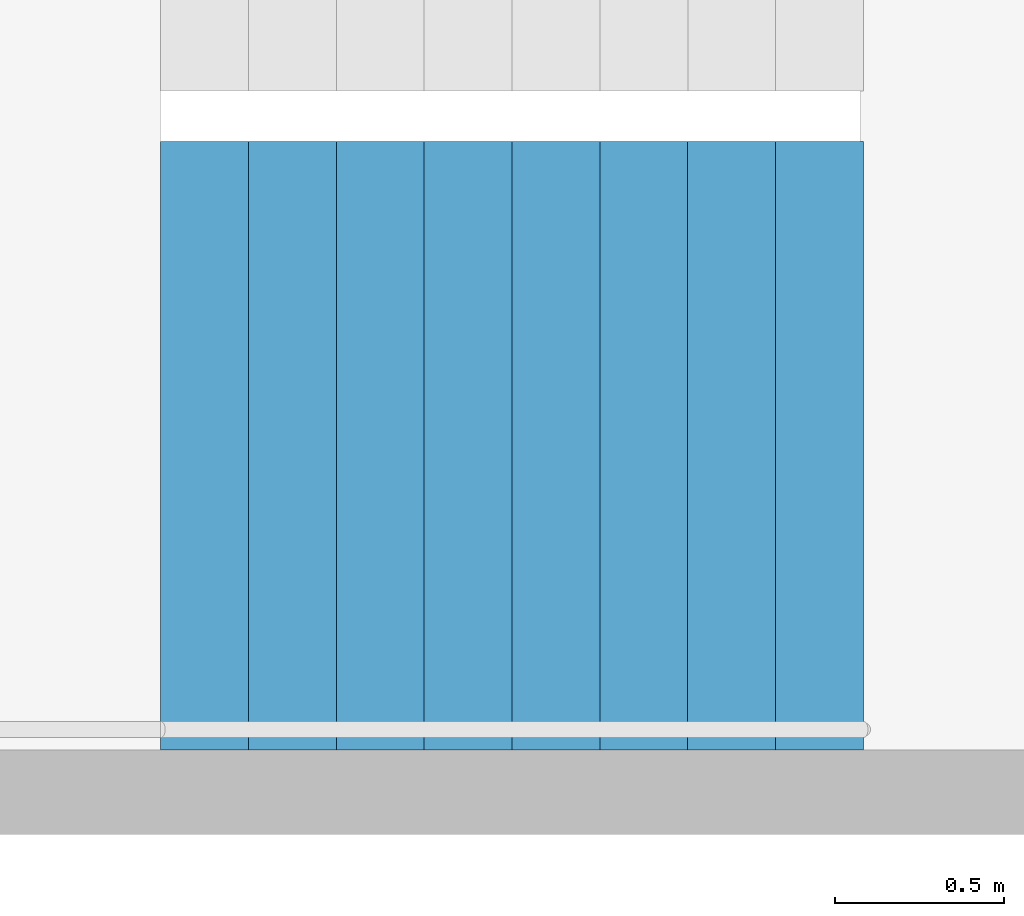
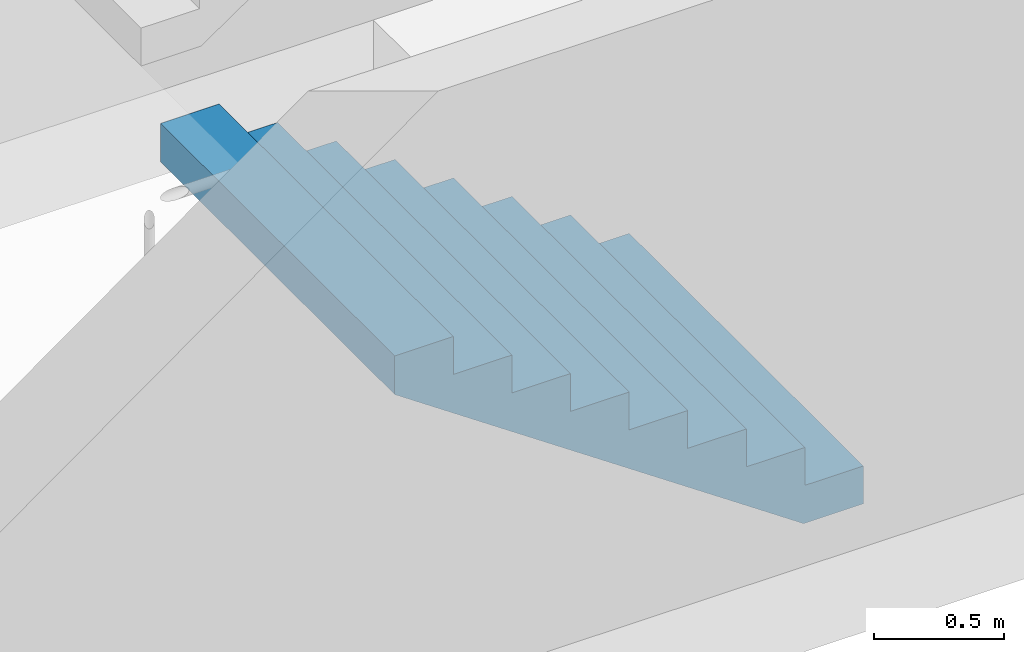
# One storey, part 27 of 29: 1 stair flight, 1 element without a shape of its own.
"""IFC4 building model written with IfcOpenShell, lengths in metres."""

from ifc_helpers import new_model, si_unit, direction, frame, origin, place, context, subcontext, project, spatial, triangles, material, type_object, element, aggregate, save


model = new_model("IFC4")

# Units and contexts
model_context = context("Model", 3, precision=1e-05, world=origin(), true_north=direction((0.0, 1.0)))
body_context = subcontext(model_context, "Body", "Model", "MODEL_VIEW")
ifc_project = project(units=[si_unit("LENGTHUNIT", "METRE"), si_unit("AREAUNIT", "SQUARE_METRE"), si_unit("VOLUMEUNIT", "CUBIC_METRE"), si_unit("PLANEANGLEUNIT", "RADIAN"), si_unit("MASSUNIT", "GRAM", prefix="KILO")], contexts=[model_context])

# Site, building, storey
site_placement = place(None, origin())
site = spatial("IfcSite", under=ifc_project, at=site_placement, CompositionType="ELEMENT")
building_placement = place(site_placement, origin())
building = spatial("IfcBuilding", under=site, at=building_placement, Name="Hakoniwa Tower and Hamabe Station Hall", CompositionType="ELEMENT")
storey_placement = place(building_placement, frame((0.0, 0.0, 110.60009765625)))
storey = spatial("IfcBuildingStorey", under=building, at=storey_placement, Name="L31", CompositionType="ELEMENT", Elevation=110.60009765625)

# Stair, stair flight
ifc_material_1 = material(Name="Concrete C40", Category="concrete")
stair_type = type_object("IfcStairType", Name="ESCAPE STAIR 1800", PredefinedType="HALF_TURN_STAIR", material=ifc_material_1)
stair_placement = place(storey_placement, origin())
stair = element("IfcStair", 1, at=stair_placement, inside=storey, type_object=stair_type, Name="Escape stair ST-3 L31", PredefinedType="HALF_TURN_STAIR")
ifc_material_2 = material(Name="Concrete C40", Category="concrete")
stair_flight_type = type_object("IfcStairFlightType", Name="STAIR FLIGHT 1800", PredefinedType="STRAIGHT", material=ifc_material_2)
stair_flight_placement = place(storey_placement, frame((24.39990234375, 4.64990234375, 0.0), z_axis=(0.0, 0.0, 1.0), x_axis=(-1.0, 0.0, 0.0)))
stair_flight = element("IfcStairFlight", 2, at=stair_flight_placement, type_object=stair_flight_type, Name="ST-3 flight 1", NumberOfRisers=9, NumberOfTreads=8, PredefinedType="STRAIGHT", RiserHeight=0.177777778, TreadLength=0.26, context=body_context, shape_type="Tessellation", body=[
    triangles([(0.0, 0.89990234375, 0.0), (0.260009765625, 0.89990234375, 0.0), (0.265625, 0.89990234375, 0.0), (0.52001953125, 0.89990234375, 0.174072265625), (0.780029296875, 0.89990234375, 0.351806640625), (1.0400390625, 0.89990234375, 0.529541015625), (1.300048828125, 0.89990234375, 0.707275390625), (1.56005859375, 0.89990234375, 0.885009765625), (1.820068359375, 0.89990234375, 1.062744140625), (2.080078125, 0.89990234375, 1.24072265625), (2.080078125, 0.89990234375, 1.422119140625), (1.820068359375, 0.89990234375, 1.422119140625), (1.820068359375, 0.89990234375, 1.244384765625), (1.56005859375, 0.89990234375, 1.244384765625), (1.56005859375, 0.89990234375, 1.066650390625), (1.300048828125, 0.89990234375, 1.066650390625), (1.300048828125, 0.89990234375, 0.888916015625), (1.0400390625, 0.89990234375, 0.888916015625), (1.0400390625, 0.89990234375, 0.711181640625), (0.780029296875, 0.89990234375, 0.711181640625), (0.780029296875, 0.89990234375, 0.533447265625), (0.52001953125, 0.89990234375, 0.533447265625), (0.52001953125, 0.89990234375, 0.35546875), (0.265625, 0.89990234375, 0.35546875), (0.260009765625, 0.89990234375, 0.35546875), (0.260009765625, 0.89990234375, 0.177734375), (0.0, 0.89990234375, 0.177734375), (0.0, 0.06005859375, 0.0), (0.260009765625, 0.06005859375, 0.0), (0.265625, 0.06005859375, 0.0), (0.52001953125, 0.06005859375, 0.174072265625), (0.780029296875, 0.06005859375, 0.351806640625), (1.0400390625, 0.06005859375, 0.529541015625), (1.300048828125, 0.06005859375, 0.707275390625), (1.56005859375, 0.06005859375, 0.885009765625), (1.820068359375, 0.06005859375, 1.062744140625), (2.080078125, 0.06005859375, 1.24072265625), (2.080078125, 0.06005859375, 1.422119140625), (1.820068359375, 0.06005859375, 1.422119140625), (1.820068359375, 0.06005859375, 1.244384765625), (1.56005859375, 0.06005859375, 1.244384765625), (1.56005859375, 0.06005859375, 1.066650390625), (1.300048828125, 0.06005859375, 1.066650390625), (1.300048828125, 0.06005859375, 0.888916015625), (1.0400390625, 0.06005859375, 0.888916015625), (1.0400390625, 0.06005859375, 0.711181640625), (0.780029296875, 0.06005859375, 0.711181640625), (0.780029296875, 0.06005859375, 0.533447265625), (0.52001953125, 0.06005859375, 0.533447265625), (0.52001953125, 0.06005859375, 0.35546875), (0.265625, 0.06005859375, 0.35546875), (0.260009765625, 0.06005859375, 0.35546875), (0.260009765625, 0.06005859375, 0.177734375), (0.0, 0.06005859375, 0.177734375), (0.0, 0.04296875, 0.0), (0.260009765625, 0.04296875, 0.0), (0.265625, 0.04296875, 0.0), (0.52001953125, 0.04296875, 0.174072265625), (0.780029296875, 0.04296875, 0.351806640625), (1.0400390625, 0.04296875, 0.529541015625), (1.300048828125, 0.04296875, 0.707275390625), (1.56005859375, 0.04296875, 0.885009765625), (1.820068359375, 0.04296875, 1.062744140625), (2.080078125, 0.04296875, 1.24072265625), (2.080078125, 0.04296875, 1.422119140625), (1.820068359375, 0.04296875, 1.422119140625), (1.820068359375, 0.04296875, 1.244384765625), (1.56005859375, 0.04296875, 1.244384765625), (1.56005859375, 0.04296875, 1.066650390625), (1.300048828125, 0.04296875, 1.066650390625), (1.300048828125, 0.04296875, 0.888916015625), (1.0400390625, 0.04296875, 0.888916015625), (1.0400390625, 0.04296875, 0.711181640625), (0.780029296875, 0.04296875, 0.711181640625), (0.780029296875, 0.04296875, 0.533447265625), (0.52001953125, 0.04296875, 0.533447265625), (0.52001953125, 0.04296875, 0.35546875), (0.265625, 0.04296875, 0.35546875), (0.260009765625, 0.04296875, 0.35546875), (0.260009765625, 0.04296875, 0.177734375), (0.0, 0.04296875, 0.177734375), (0.0, 0.025634765625, 0.0), (0.260009765625, 0.025634765625, 0.0), (0.265625, 0.025634765625, 0.0), (0.52001953125, 0.025634765625, 0.174072265625), (0.780029296875, 0.025634765625, 0.351806640625), (1.0400390625, 0.025634765625, 0.529541015625), (1.300048828125, 0.025634765625, 0.707275390625), (1.56005859375, 0.025634765625, 0.885009765625), (1.820068359375, 0.025634765625, 1.062744140625), (2.080078125, 0.025634765625, 1.24072265625), (2.080078125, 0.025634765625, 1.422119140625), (1.820068359375, 0.025634765625, 1.422119140625), (1.820068359375, 0.025634765625, 1.244384765625), (1.56005859375, 0.025634765625, 1.244384765625), (1.56005859375, 0.025634765625, 1.066650390625), (1.300048828125, 0.025634765625, 1.066650390625), (1.300048828125, 0.025634765625, 0.888916015625), (1.0400390625, 0.025634765625, 0.888916015625), (1.0400390625, 0.025634765625, 0.711181640625), (0.780029296875, 0.025634765625, 0.711181640625), (0.780029296875, 0.025634765625, 0.533447265625), (0.52001953125, 0.025634765625, 0.533447265625), (0.52001953125, 0.025634765625, 0.35546875), (0.265625, 0.025634765625, 0.35546875), (0.260009765625, 0.025634765625, 0.35546875), (0.260009765625, 0.025634765625, 0.177734375), (0.0, 0.025634765625, 0.177734375), (0.0, 0.008544921875, 0.0), (0.260009765625, 0.008544921875, 0.0), (0.265625, 0.008544921875, 0.0), (0.52001953125, 0.008544921875, 0.174072265625), (0.780029296875, 0.008544921875, 0.351806640625), (1.0400390625, 0.008544921875, 0.529541015625), (1.300048828125, 0.008544921875, 0.707275390625), (1.56005859375, 0.008544921875, 0.885009765625), (1.820068359375, 0.008544921875, 1.062744140625), (2.080078125, 0.008544921875, 1.24072265625), (2.080078125, 0.008544921875, 1.422119140625), (1.820068359375, 0.008544921875, 1.422119140625), (1.820068359375, 0.008544921875, 1.244384765625), (1.56005859375, 0.008544921875, 1.244384765625), (1.56005859375, 0.008544921875, 1.066650390625), (1.300048828125, 0.008544921875, 1.066650390625), (1.300048828125, 0.008544921875, 0.888916015625), (1.0400390625, 0.008544921875, 0.888916015625), (1.0400390625, 0.008544921875, 0.711181640625), (0.780029296875, 0.008544921875, 0.711181640625), (0.780029296875, 0.008544921875, 0.533447265625), (0.52001953125, 0.008544921875, 0.533447265625), (0.52001953125, 0.008544921875, 0.35546875), (0.265625, 0.008544921875, 0.35546875), (0.260009765625, 0.008544921875, 0.35546875), (0.260009765625, 0.008544921875, 0.177734375), (0.0, 0.008544921875, 0.177734375), (0.0, -0.008544921875, 0.0), (0.260009765625, -0.008544921875, 0.0), (0.265625, -0.008544921875, 0.0), (0.52001953125, -0.008544921875, 0.174072265625), (0.780029296875, -0.008544921875, 0.351806640625), (1.0400390625, -0.008544921875, 0.529541015625), (1.300048828125, -0.008544921875, 0.707275390625), (1.56005859375, -0.008544921875, 0.885009765625), (1.820068359375, -0.008544921875, 1.062744140625), (2.080078125, -0.008544921875, 1.24072265625), (2.080078125, -0.008544921875, 1.422119140625), (1.820068359375, -0.008544921875, 1.422119140625), (1.820068359375, -0.008544921875, 1.244384765625), (1.56005859375, -0.008544921875, 1.244384765625), (1.56005859375, -0.008544921875, 1.066650390625), (1.300048828125, -0.008544921875, 1.066650390625), (1.300048828125, -0.008544921875, 0.888916015625), (1.0400390625, -0.008544921875, 0.888916015625), (1.0400390625, -0.008544921875, 0.711181640625), (0.780029296875, -0.008544921875, 0.711181640625), (0.780029296875, -0.008544921875, 0.533447265625), (0.52001953125, -0.008544921875, 0.533447265625), (0.52001953125, -0.008544921875, 0.35546875), (0.265625, -0.008544921875, 0.35546875), (0.260009765625, -0.008544921875, 0.35546875), (0.260009765625, -0.008544921875, 0.177734375), (0.0, -0.008544921875, 0.177734375), (0.0, -0.025634765625, 0.0), (0.260009765625, -0.025634765625, 0.0), (0.265625, -0.025634765625, 0.0), (0.52001953125, -0.025634765625, 0.174072265625), (0.780029296875, -0.025634765625, 0.351806640625), (1.0400390625, -0.025634765625, 0.529541015625), (1.300048828125, -0.025634765625, 0.707275390625), (1.56005859375, -0.025634765625, 0.885009765625), (1.820068359375, -0.025634765625, 1.062744140625), (2.080078125, -0.025634765625, 1.24072265625), (2.080078125, -0.025634765625, 1.422119140625), (1.820068359375, -0.025634765625, 1.422119140625), (1.820068359375, -0.025634765625, 1.244384765625), (1.56005859375, -0.025634765625, 1.244384765625), (1.56005859375, -0.025634765625, 1.066650390625), (1.300048828125, -0.025634765625, 1.066650390625), (1.300048828125, -0.025634765625, 0.888916015625), (1.0400390625, -0.025634765625, 0.888916015625), (1.0400390625, -0.025634765625, 0.711181640625), (0.780029296875, -0.025634765625, 0.711181640625), (0.780029296875, -0.025634765625, 0.533447265625), (0.52001953125, -0.025634765625, 0.533447265625), (0.52001953125, -0.025634765625, 0.35546875), (0.265625, -0.025634765625, 0.35546875), (0.260009765625, -0.025634765625, 0.35546875), (0.260009765625, -0.025634765625, 0.177734375), (0.0, -0.025634765625, 0.177734375), (0.0, -0.04296875, 0.0), (0.260009765625, -0.04296875, 0.0), (0.265625, -0.04296875, 0.0), (0.52001953125, -0.04296875, 0.174072265625), (0.780029296875, -0.04296875, 0.351806640625), (1.0400390625, -0.04296875, 0.529541015625), (1.300048828125, -0.04296875, 0.707275390625), (1.56005859375, -0.04296875, 0.885009765625), (1.820068359375, -0.04296875, 1.062744140625), (2.080078125, -0.04296875, 1.24072265625), (2.080078125, -0.04296875, 1.422119140625), (1.820068359375, -0.04296875, 1.422119140625), (1.820068359375, -0.04296875, 1.244384765625), (1.56005859375, -0.04296875, 1.244384765625), (1.56005859375, -0.04296875, 1.066650390625), (1.300048828125, -0.04296875, 1.066650390625), (1.300048828125, -0.04296875, 0.888916015625), (1.0400390625, -0.04296875, 0.888916015625), (1.0400390625, -0.04296875, 0.711181640625), (0.780029296875, -0.04296875, 0.711181640625), (0.780029296875, -0.04296875, 0.533447265625), (0.52001953125, -0.04296875, 0.533447265625), (0.52001953125, -0.04296875, 0.35546875), (0.265625, -0.04296875, 0.35546875), (0.260009765625, -0.04296875, 0.35546875), (0.260009765625, -0.04296875, 0.177734375), (0.0, -0.04296875, 0.177734375), (0.0, -0.06005859375, 0.0), (0.260009765625, -0.06005859375, 0.0), (0.265625, -0.06005859375, 0.0), (0.52001953125, -0.06005859375, 0.174072265625), (0.780029296875, -0.06005859375, 0.351806640625), (1.0400390625, -0.06005859375, 0.529541015625), (1.300048828125, -0.06005859375, 0.707275390625), (1.56005859375, -0.06005859375, 0.885009765625), (1.820068359375, -0.06005859375, 1.062744140625), (2.080078125, -0.06005859375, 1.24072265625), (2.080078125, -0.06005859375, 1.422119140625), (1.820068359375, -0.06005859375, 1.422119140625), (1.820068359375, -0.06005859375, 1.244384765625), (1.56005859375, -0.06005859375, 1.244384765625), (1.56005859375, -0.06005859375, 1.066650390625), (1.300048828125, -0.06005859375, 1.066650390625), (1.300048828125, -0.06005859375, 0.888916015625), (1.0400390625, -0.06005859375, 0.888916015625), (1.0400390625, -0.06005859375, 0.711181640625), (0.780029296875, -0.06005859375, 0.711181640625), (0.780029296875, -0.06005859375, 0.533447265625), (0.52001953125, -0.06005859375, 0.533447265625), (0.52001953125, -0.06005859375, 0.35546875), (0.265625, -0.06005859375, 0.35546875), (0.260009765625, -0.06005859375, 0.35546875), (0.260009765625, -0.06005859375, 0.177734375), (0.0, -0.06005859375, 0.177734375), (0.0, -0.89990234375, 0.0), (0.260009765625, -0.89990234375, 0.0), (0.265625, -0.89990234375, 0.0), (0.52001953125, -0.89990234375, 0.174072265625), (0.780029296875, -0.89990234375, 0.351806640625), (1.0400390625, -0.89990234375, 0.529541015625), (1.300048828125, -0.89990234375, 0.707275390625), (1.56005859375, -0.89990234375, 0.885009765625), (1.820068359375, -0.89990234375, 1.062744140625), (2.080078125, -0.89990234375, 1.24072265625), (2.080078125, -0.89990234375, 1.422119140625), (1.820068359375, -0.89990234375, 1.422119140625), (1.820068359375, -0.89990234375, 1.244384765625), (1.56005859375, -0.89990234375, 1.244384765625), (1.56005859375, -0.89990234375, 1.066650390625), (1.300048828125, -0.89990234375, 1.066650390625), (1.300048828125, -0.89990234375, 0.888916015625), (1.0400390625, -0.89990234375, 0.888916015625), (1.0400390625, -0.89990234375, 0.711181640625), (0.780029296875, -0.89990234375, 0.711181640625), (0.780029296875, -0.89990234375, 0.533447265625), (0.52001953125, -0.89990234375, 0.533447265625), (0.52001953125, -0.89990234375, 0.35546875), (0.265625, -0.89990234375, 0.35546875), (0.260009765625, -0.89990234375, 0.35546875), (0.260009765625, -0.89990234375, 0.177734375), (0.0, -0.89990234375, 0.177734375)], [[2, 27, 26], [245, 269, 270], [2, 1, 27], [245, 270, 244], [3, 25, 24], [246, 267, 268], [3, 26, 25], [246, 268, 269], [3, 2, 26], [246, 269, 245], [4, 24, 23], [247, 266, 267], [4, 3, 24], [247, 267, 246], [5, 22, 21], [248, 264, 265], [5, 23, 22], [248, 265, 266], [5, 4, 23], [248, 266, 247], [6, 20, 19], [249, 262, 263], [6, 21, 20], [249, 263, 264], [6, 5, 21], [249, 264, 248], [7, 18, 17], [250, 260, 261], [7, 19, 18], [250, 261, 262], [7, 6, 19], [250, 262, 249], [8, 16, 15], [251, 258, 259], [8, 17, 16], [251, 259, 260], [8, 7, 17], [251, 260, 250], [9, 14, 13], [252, 256, 257], [9, 15, 14], [252, 257, 258], [9, 8, 15], [252, 258, 251], [10, 12, 11], [253, 254, 255], [10, 13, 12], [253, 255, 256], [10, 9, 13], [253, 256, 252], [1, 2, 29], [1, 29, 28], [28, 29, 56], [28, 56, 55], [55, 56, 83], [55, 83, 82], [82, 83, 110], [82, 110, 109], [109, 110, 137], [109, 137, 136], [136, 137, 164], [136, 164, 163], [163, 164, 191], [163, 191, 190], [190, 191, 218], [190, 218, 217], [217, 218, 245], [217, 245, 244], [2, 3, 30], [2, 30, 29], [29, 30, 57], [29, 57, 56], [56, 57, 84], [56, 84, 83], [83, 84, 111], [83, 111, 110], [110, 111, 138], [110, 138, 137], [137, 138, 165], [137, 165, 164], [164, 165, 192], [164, 192, 191], [191, 192, 219], [191, 219, 218], [218, 219, 246], [218, 246, 245], [3, 4, 31], [3, 31, 30], [30, 31, 58], [30, 58, 57], [57, 58, 85], [57, 85, 84], [84, 85, 112], [84, 112, 111], [111, 112, 139], [111, 139, 138], [138, 139, 166], [138, 166, 165], [165, 166, 193], [165, 193, 192], [192, 193, 220], [192, 220, 219], [219, 220, 247], [219, 247, 246], [4, 5, 32], [4, 32, 31], [31, 32, 59], [31, 59, 58], [58, 59, 86], [58, 86, 85], [85, 86, 113], [85, 113, 112], [112, 113, 140], [112, 140, 139], [139, 140, 167], [139, 167, 166], [166, 167, 194], [166, 194, 193], [193, 194, 221], [193, 221, 220], [220, 221, 248], [220, 248, 247], [5, 6, 33], [5, 33, 32], [32, 33, 60], [32, 60, 59], [59, 60, 87], [59, 87, 86], [86, 87, 114], [86, 114, 113], [113, 114, 141], [113, 141, 140], [140, 141, 168], [140, 168, 167], [167, 168, 195], [167, 195, 194], [194, 195, 222], [194, 222, 221], [221, 222, 249], [221, 249, 248], [6, 7, 34], [6, 34, 33], [33, 34, 61], [33, 61, 60], [60, 61, 88], [60, 88, 87], [87, 88, 115], [87, 115, 114], [114, 115, 142], [114, 142, 141], [141, 142, 169], [141, 169, 168], [168, 169, 196], [168, 196, 195], [195, 196, 223], [195, 223, 222], [222, 223, 250], [222, 250, 249], [7, 8, 35], [7, 35, 34], [34, 35, 62], [34, 62, 61], [61, 62, 89], [61, 89, 88], [88, 89, 116], [88, 116, 115], [115, 116, 143], [115, 143, 142], [142, 143, 170], [142, 170, 169], [169, 170, 197], [169, 197, 196], [196, 197, 224], [196, 224, 223], [223, 224, 251], [223, 251, 250], [8, 9, 36], [8, 36, 35], [35, 36, 63], [35, 63, 62], [62, 63, 90], [62, 90, 89], [89, 90, 117], [89, 117, 116], [116, 117, 144], [116, 144, 143], [143, 144, 171], [143, 171, 170], [170, 171, 198], [170, 198, 197], [197, 198, 225], [197, 225, 224], [224, 225, 252], [224, 252, 251], [9, 10, 37], [9, 37, 36], [36, 37, 64], [36, 64, 63], [63, 64, 91], [63, 91, 90], [90, 91, 118], [90, 118, 117], [117, 118, 145], [117, 145, 144], [144, 145, 172], [144, 172, 171], [171, 172, 199], [171, 199, 198], [198, 199, 226], [198, 226, 225], [225, 226, 253], [225, 253, 252], [10, 11, 38], [10, 38, 37], [37, 38, 65], [37, 65, 64], [64, 65, 92], [64, 92, 91], [91, 92, 119], [91, 119, 118], [118, 119, 146], [118, 146, 145], [145, 146, 173], [145, 173, 172], [172, 173, 200], [172, 200, 199], [199, 200, 227], [199, 227, 226], [226, 227, 254], [226, 254, 253], [11, 12, 39], [11, 39, 38], [38, 39, 66], [38, 66, 65], [65, 66, 93], [65, 93, 92], [92, 93, 120], [92, 120, 119], [119, 120, 147], [119, 147, 146], [146, 147, 174], [146, 174, 173], [173, 174, 201], [173, 201, 200], [200, 201, 228], [200, 228, 227], [227, 228, 255], [227, 255, 254], [12, 13, 40], [12, 40, 39], [39, 40, 67], [39, 67, 66], [66, 67, 94], [66, 94, 93], [93, 94, 121], [93, 121, 120], [120, 121, 148], [120, 148, 147], [147, 148, 175], [147, 175, 174], [174, 175, 202], [174, 202, 201], [201, 202, 229], [201, 229, 228], [228, 229, 256], [228, 256, 255], [13, 14, 41], [13, 41, 40], [40, 41, 68], [40, 68, 67], [67, 68, 95], [67, 95, 94], [94, 95, 122], [94, 122, 121], [121, 122, 149], [121, 149, 148], [148, 149, 176], [148, 176, 175], [175, 176, 203], [175, 203, 202], [202, 203, 230], [202, 230, 229], [229, 230, 257], [229, 257, 256], [14, 15, 42], [14, 42, 41], [41, 42, 69], [41, 69, 68], [68, 69, 96], [68, 96, 95], [95, 96, 123], [95, 123, 122], [122, 123, 150], [122, 150, 149], [149, 150, 177], [149, 177, 176], [176, 177, 204], [176, 204, 203], [203, 204, 231], [203, 231, 230], [230, 231, 258], [230, 258, 257], [15, 16, 43], [15, 43, 42], [42, 43, 70], [42, 70, 69], [69, 70, 97], [69, 97, 96], [96, 97, 124], [96, 124, 123], [123, 124, 151], [123, 151, 150], [150, 151, 178], [150, 178, 177], [177, 178, 205], [177, 205, 204], [204, 205, 232], [204, 232, 231], [231, 232, 259], [231, 259, 258], [16, 17, 44], [16, 44, 43], [43, 44, 71], [43, 71, 70], [70, 71, 98], [70, 98, 97], [97, 98, 125], [97, 125, 124], [124, 125, 152], [124, 152, 151], [151, 152, 179], [151, 179, 178], [178, 179, 206], [178, 206, 205], [205, 206, 233], [205, 233, 232], [232, 233, 260], [232, 260, 259], [17, 18, 45], [17, 45, 44], [44, 45, 72], [44, 72, 71], [71, 72, 99], [71, 99, 98], [98, 99, 126], [98, 126, 125], [125, 126, 153], [125, 153, 152], [152, 153, 180], [152, 180, 179], [179, 180, 207], [179, 207, 206], [206, 207, 234], [206, 234, 233], [233, 234, 261], [233, 261, 260], [18, 19, 46], [18, 46, 45], [45, 46, 73], [45, 73, 72], [72, 73, 100], [72, 100, 99], [99, 100, 127], [99, 127, 126], [126, 127, 154], [126, 154, 153], [153, 154, 181], [153, 181, 180], [180, 181, 208], [180, 208, 207], [207, 208, 235], [207, 235, 234], [234, 235, 262], [234, 262, 261], [19, 20, 47], [19, 47, 46], [46, 47, 74], [46, 74, 73], [73, 74, 101], [73, 101, 100], [100, 101, 128], [100, 128, 127], [127, 128, 155], [127, 155, 154], [154, 155, 182], [154, 182, 181], [181, 182, 209], [181, 209, 208], [208, 209, 236], [208, 236, 235], [235, 236, 263], [235, 263, 262], [20, 21, 48], [20, 48, 47], [47, 48, 75], [47, 75, 74], [74, 75, 102], [74, 102, 101], [101, 102, 129], [101, 129, 128], [128, 129, 156], [128, 156, 155], [155, 156, 183], [155, 183, 182], [182, 183, 210], [182, 210, 209], [209, 210, 237], [209, 237, 236], [236, 237, 264], [236, 264, 263], [21, 22, 49], [21, 49, 48], [48, 49, 76], [48, 76, 75], [75, 76, 103], [75, 103, 102], [102, 103, 130], [102, 130, 129], [129, 130, 157], [129, 157, 156], [156, 157, 184], [156, 184, 183], [183, 184, 211], [183, 211, 210], [210, 211, 238], [210, 238, 237], [237, 238, 265], [237, 265, 264], [22, 23, 50], [22, 50, 49], [49, 50, 77], [49, 77, 76], [76, 77, 104], [76, 104, 103], [103, 104, 131], [103, 131, 130], [130, 131, 158], [130, 158, 157], [157, 158, 185], [157, 185, 184], [184, 185, 212], [184, 212, 211], [211, 212, 239], [211, 239, 238], [238, 239, 266], [238, 266, 265], [23, 24, 51], [23, 51, 50], [50, 51, 78], [50, 78, 77], [77, 78, 105], [77, 105, 104], [104, 105, 132], [104, 132, 131], [131, 132, 159], [131, 159, 158], [158, 159, 186], [158, 186, 185], [185, 186, 213], [185, 213, 212], [212, 213, 240], [212, 240, 239], [239, 240, 267], [239, 267, 266], [24, 25, 52], [24, 52, 51], [51, 52, 79], [51, 79, 78], [78, 79, 106], [78, 106, 105], [105, 106, 133], [105, 133, 132], [132, 133, 160], [132, 160, 159], [159, 160, 187], [159, 187, 186], [186, 187, 214], [186, 214, 213], [213, 214, 241], [213, 241, 240], [240, 241, 268], [240, 268, 267], [25, 26, 53], [25, 53, 52], [52, 53, 80], [52, 80, 79], [79, 80, 107], [79, 107, 106], [106, 107, 134], [106, 134, 133], [133, 134, 161], [133, 161, 160], [160, 161, 188], [160, 188, 187], [187, 188, 215], [187, 215, 214], [214, 215, 242], [214, 242, 241], [241, 242, 269], [241, 269, 268], [26, 27, 54], [26, 54, 53], [53, 54, 81], [53, 81, 80], [80, 81, 108], [80, 108, 107], [107, 108, 135], [107, 135, 134], [134, 135, 162], [134, 162, 161], [161, 162, 189], [161, 189, 188], [188, 189, 216], [188, 216, 215], [215, 216, 243], [215, 243, 242], [242, 243, 270], [242, 270, 269], [27, 1, 28], [27, 28, 54], [54, 28, 55], [54, 55, 81], [81, 55, 82], [81, 82, 108], [108, 82, 109], [108, 109, 135], [135, 109, 136], [135, 136, 162], [162, 136, 163], [162, 163, 189], [189, 163, 190], [189, 190, 216], [216, 190, 217], [216, 217, 243], [243, 217, 244], [243, 244, 270]], closed=True),
])
aggregate(stair, [stair_flight])

save(model, "model.ifc")
